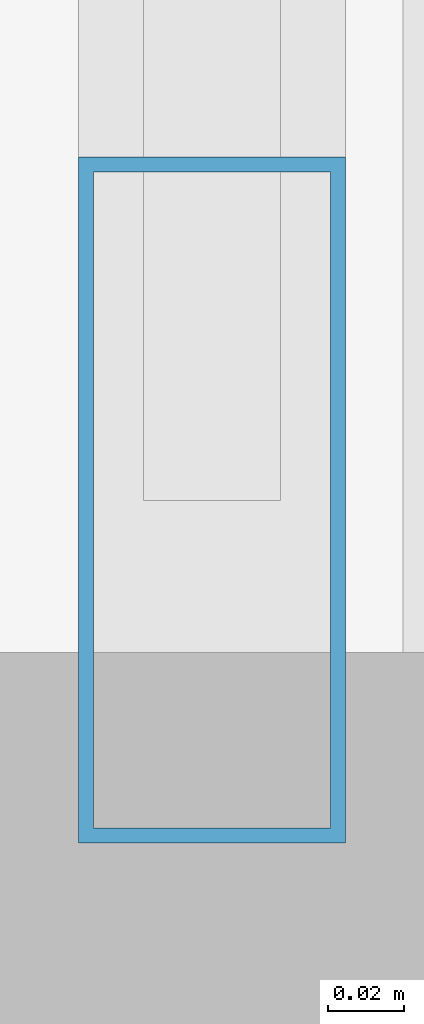
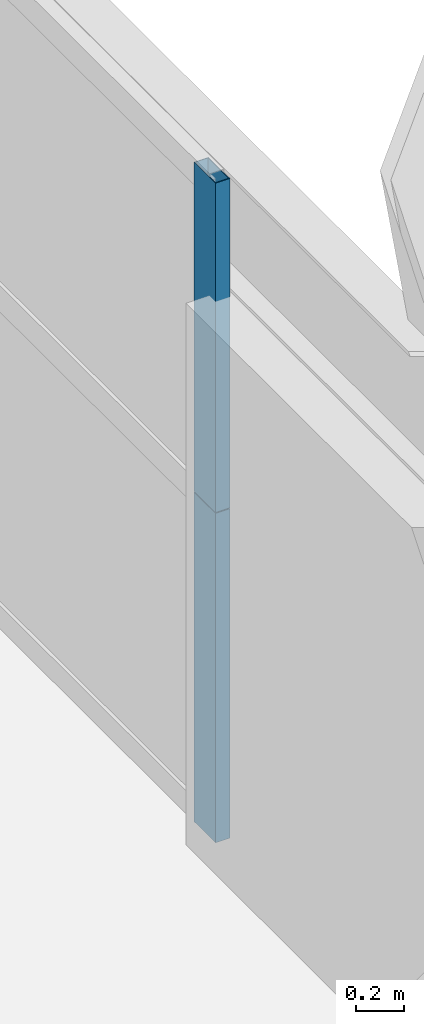
# One storey, part 17 of 43: 2 members, 1 element without a shape of its own.
"""IFC4 building model written with IfcOpenShell, lengths in metres."""

from ifc_helpers import new_model, si_unit, direction, frame, origin, origin_2d, place, context, subcontext, project, spatial, hollow_rectangle, extrude, source, transform, mapped, material, layer, layer_set, material_profile, profile_set, type_object, element, aggregate, save


model = new_model("IFC4")

# Units and contexts
model_context = context("Model", 3, precision=1e-05, world=origin(), true_north=direction((0.0, 1.0)))
body_context = subcontext(model_context, "Body", "Model", "MODEL_VIEW")
ifc_project = project(units=[si_unit("LENGTHUNIT", "METRE"), si_unit("AREAUNIT", "SQUARE_METRE"), si_unit("VOLUMEUNIT", "CUBIC_METRE"), si_unit("PLANEANGLEUNIT", "RADIAN"), si_unit("MASSUNIT", "GRAM", prefix="KILO"), si_unit("THERMODYNAMICTEMPERATUREUNIT", "KELVIN"), si_unit("POWERUNIT", "WATT")], contexts=[model_context])

# Site, building, storey
site_placement = place(None, origin())
site = spatial("IfcSite", under=ifc_project, at=site_placement, CompositionType="ELEMENT")
building_placement = place(site_placement, origin())
building = spatial("IfcBuilding", under=site, at=building_placement, Name="Yuzanri Waterfront Tower", CompositionType="ELEMENT")
storey_placement = place(building_placement, frame((0.0, 0.0, 60.39990234375)))
storey = spatial("IfcBuildingStorey", under=building, at=storey_placement, Name="L15", CompositionType="ELEMENT", Elevation=60.39990234375)

# Curtain wall, members
ifc_material_1 = material(Name="Anodized Architectural Bronze", Category="metal")
ifc_layer = layer(ifc_material_1, 0.159912109375)
ifc_layer_set = layer_set([ifc_layer], Name="Anodized Architectural Bronze")
curtain_wall_type = type_object("IfcCurtainWallType", Name="Anodized Bronze Hotel Lower-Tier Recessed Unitized Curtain Wall 8100", PredefinedType="NOTDEFINED", material=ifc_layer_set)
curtain_wall_placement = place(storey_placement, origin())
curtain_wall = element("IfcCurtainWall", 1, at=curtain_wall_placement, inside=storey, type_object=curtain_wall_type, Name="L15 Curtain Wall CW-L15-EL", PredefinedType="NOTDEFINED")
ifc_material_2 = material(Name="Anodized Architectural Bronze", Category="metal")
ifc_material_profile = material_profile(ifc_material_2, hollow_rectangle(XDim=0.070068359375, YDim=0.179931640625, WallThickness=0.00390625, at=origin_2d()), Name="CWM 70x180")
ifc_profile_set = profile_set([ifc_material_profile], Name="Anodized Architectural Bronze")
member_type = type_object("IfcMemberType", Name="Anodized Bronze Standard Curtain-Wall Mullion 70x180", PredefinedType="MULLION", material=ifc_profile_set)
shared_shape = source(origin(), body_context, "Body", "SweptSolid", [
    extrude(hollow_rectangle(XDim=0.070068359375, YDim=0.179931640625, WallThickness=0.00390625, at=origin_2d()), origin(), (0.0, 0.0, 1.0), 1.68798828125),
])
member_1_placement = place(storey_placement, frame((61.949951171875, 8.090087890625, 0.0), z_axis=(0.0, 0.0, 1.0), x_axis=(1.0, 0.0, 0.0)))
member_1 = element("IfcMember", 2, at=member_1_placement, type_object=member_type, Name="CW-L15-EL Lower Mullion 00", PredefinedType="MULLION", context=body_context, shape_type="MappedRepresentation", body=[
    mapped(shared_shape, transform((0.0, 0.0, 0.0), scale=1.0)),
])
member_2_placement = place(storey_placement, frame((61.949951171875, 8.090087890625, 1.692138671875), z_axis=(0.0, 0.0, 1.0), x_axis=(1.0, 0.0, 0.0)))
member_2 = element("IfcMember", 3, at=member_2_placement, type_object=member_type, Name="CW-L15-EL Upper Mullion 00", PredefinedType="MULLION", context=body_context, shape_type="MappedRepresentation", body=[
    mapped(shared_shape, transform((0.0, 0.0, 0.0), scale=1.0)),
])
aggregate(curtain_wall, [member_1, member_2])

save(model, "model.ifc")
